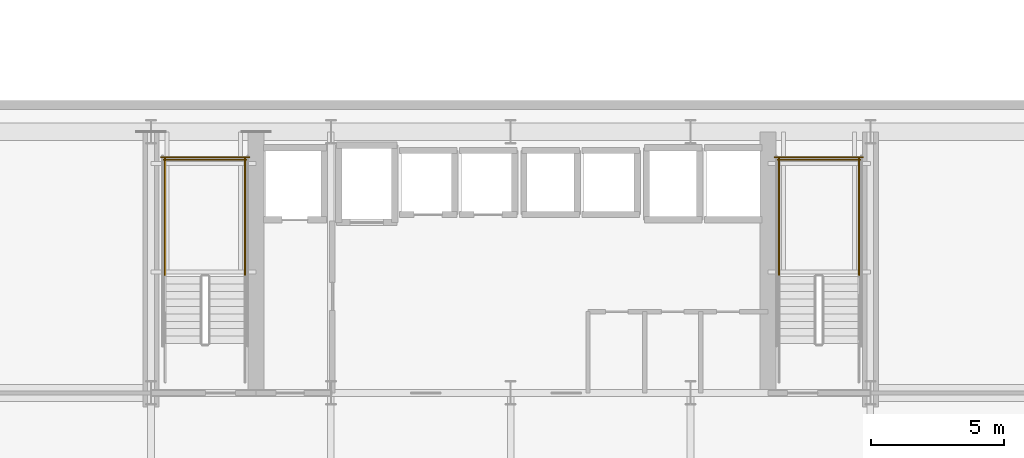
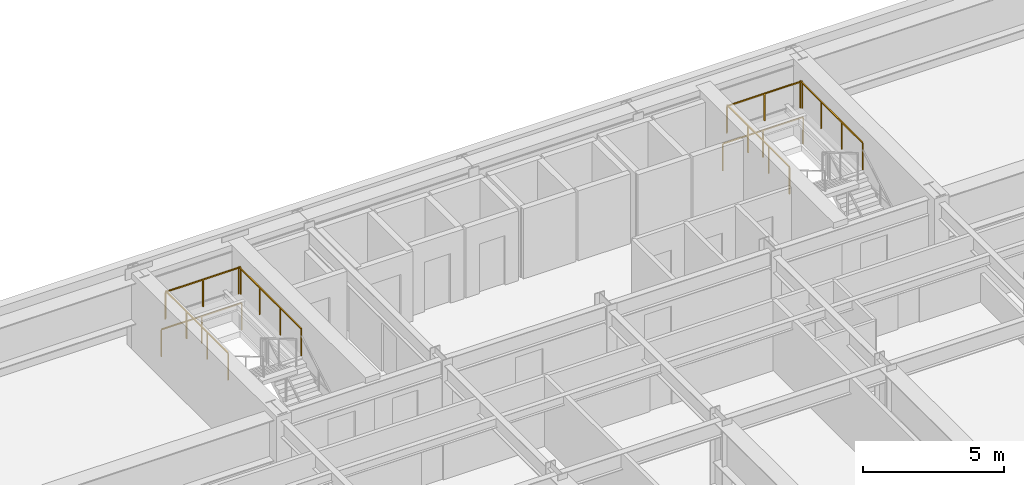
# One storey, part 15 of 18: 8 railings.
"""IFC4 building model written with IfcOpenShell, lengths in metres."""

from ifc_helpers import new_model, si_unit, direction, frame, origin, origin_2d, place, context, subcontext, project, spatial, rectangle, extrude, material, type_object, element, save


model = new_model("IFC4")

# Units and contexts
model_context = context("Model", 3, precision=1e-05, world=origin(), true_north=direction((0.0, 1.0)))
body_context = subcontext(model_context, "Body", "Model", "MODEL_VIEW")
ifc_project = project(units=[si_unit("LENGTHUNIT", "METRE"), si_unit("AREAUNIT", "SQUARE_METRE"), si_unit("VOLUMEUNIT", "CUBIC_METRE"), si_unit("PLANEANGLEUNIT", "RADIAN"), si_unit("MASSUNIT", "GRAM", prefix="KILO")], contexts=[model_context])

# Site, building, storey
site_placement = place(None, origin())
site = spatial("IfcSite", under=ifc_project, at=site_placement, CompositionType="ELEMENT")
building_placement = place(site_placement, origin())
building = spatial("IfcBuilding", under=site, at=building_placement, Name="Haevon Station Towers", CompositionType="ELEMENT")
storey_placement = place(building_placement, frame((0.0, 0.0, 47.10009765625)))
storey = spatial("IfcBuildingStorey", under=building, at=storey_placement, Name="L11", CompositionType="ELEMENT", Elevation=47.10009765625)

# Railings
ifc_material = material(Name="Steel S355", Category="steel")
railing_type = type_object("IfcRailingType", Name="GRD-STR1200", PredefinedType="GUARDRAIL", material=ifc_material)
for number, where, name in (
    (1, (27.530029296875, 42.570068359375, 1.64990234375), "L11 ST1 Stair Guard 3"),
    (2, (24.530029296875, 42.570068359375, 1.64990234375), "L11 ST1 Stair Guard 4"),
):
    element("IfcRailing", number, at=place(storey_placement, frame(where)), inside=storey, type_object=railing_type, Name=name, PredefinedType="GUARDRAIL", context=body_context, shape_type="SweptSolid", body=[
        extrude(rectangle(XDim=0.048095703125, YDim=0.048095703125, at=origin_2d()), frame((0.0, 0.0, 1.17578125), z_axis=(0.0, 1.0, 0.0), x_axis=(-1.0, 0.0, 0.0)), (0.0, 0.0, 1.0), 4.429931640625),
        extrude(rectangle(XDim=0.0419921875, YDim=0.0419921875, at=origin_2d()), origin(), (0.0, 0.0, 1.0), 1.15185546875),
        extrude(rectangle(XDim=0.0419921875, YDim=0.0419921875, at=origin_2d()), frame((0.0, 1.4765625, 0.0)), (0.0, 0.0, 1.0), 1.15185546875),
        extrude(rectangle(XDim=0.0419921875, YDim=0.0419921875, at=origin_2d()), frame((0.0, 2.953369140625, 0.0)), (0.0, 0.0, 1.0), 1.15185546875),
        extrude(rectangle(XDim=0.0419921875, YDim=0.0419921875, at=origin_2d()), frame((0.0, 4.429931640625, 0.0)), (0.0, 0.0, 1.0), 1.15185546875),
    ])
railing_1_placement = place(storey_placement, frame((27.580078125, 46.949951171875, 1.64990234375)))
element("IfcRailing", 3, at=railing_1_placement, inside=storey, type_object=railing_type, Name="L11 ST1 Stair Guard 5", PredefinedType="GUARDRAIL", context=body_context, shape_type="SweptSolid", body=[
    extrude(rectangle(XDim=0.048095703125, YDim=0.048095703125, at=origin_2d()), frame((0.0, 0.0, 1.17578125), z_axis=(-1.0, 0.0, 0.0), x_axis=(0.0, -1.0, 0.0)), (0.0, 0.0, 1.0), 3.10009765625),
    extrude(rectangle(XDim=0.0419921875, YDim=0.0419921875, at=origin_2d()), origin(), (0.0, 0.0, 1.0), 1.15185546875),
    extrude(rectangle(XDim=0.0419921875, YDim=0.0419921875, at=origin_2d()), frame((-1.550048828125, 0.0, 0.0)), (0.0, 0.0, 1.0), 1.15185546875),
    extrude(rectangle(XDim=0.0419921875, YDim=0.0419921875, at=origin_2d()), frame((-3.10009765625, 0.0, 0.0)), (0.0, 0.0, 1.0), 1.15185546875),
])
railing_2_placement = place(storey_placement, frame((27.679931640625, 47.050048828125, 0.0)))
element("IfcRailing", 4, at=railing_2_placement, inside=storey, type_object=railing_type, Name="L11 ST1 Stair Guard 12", PredefinedType="GUARDRAIL", context=body_context, shape_type="SweptSolid", body=[
    extrude(rectangle(XDim=0.048095703125, YDim=0.048095703125, at=origin_2d()), frame((0.0, 0.0, 1.17578125), z_axis=(-1.0, 0.0, 0.0), x_axis=(0.0, -1.0, 0.0)), (0.0, 0.0, 1.0), 3.300048828125),
    extrude(rectangle(XDim=0.0419921875, YDim=0.0419921875, at=origin_2d()), origin(), (0.0, 0.0, 1.0), 1.15185546875),
    extrude(rectangle(XDim=0.0419921875, YDim=0.0419921875, at=origin_2d()), frame((-1.64990234375, 0.0, 0.0)), (0.0, 0.0, 1.0), 1.15185546875),
    extrude(rectangle(XDim=0.0419921875, YDim=0.0419921875, at=origin_2d()), frame((-3.300048828125, 0.0, 0.0)), (0.0, 0.0, 1.0), 1.15185546875),
])
for number, where, name in (
    (5, (50.570068359375, 42.570068359375, 1.64990234375), "L11 ST2 Stair Guard 3"),
    (6, (47.570068359375, 42.570068359375, 1.64990234375), "L11 ST2 Stair Guard 4"),
):
    element("IfcRailing", number, at=place(storey_placement, frame(where)), inside=storey, type_object=railing_type, Name=name, PredefinedType="GUARDRAIL", context=body_context, shape_type="SweptSolid", body=[
        extrude(rectangle(XDim=0.048095703125, YDim=0.048095703125, at=origin_2d()), frame((0.0, 0.0, 1.17578125), z_axis=(0.0, 1.0, 0.0), x_axis=(-1.0, 0.0, 0.0)), (0.0, 0.0, 1.0), 4.429931640625),
        extrude(rectangle(XDim=0.0419921875, YDim=0.0419921875, at=origin_2d()), origin(), (0.0, 0.0, 1.0), 1.15185546875),
        extrude(rectangle(XDim=0.0419921875, YDim=0.0419921875, at=origin_2d()), frame((0.0, 1.4765625, 0.0)), (0.0, 0.0, 1.0), 1.15185546875),
        extrude(rectangle(XDim=0.0419921875, YDim=0.0419921875, at=origin_2d()), frame((0.0, 2.953369140625, 0.0)), (0.0, 0.0, 1.0), 1.15185546875),
        extrude(rectangle(XDim=0.0419921875, YDim=0.0419921875, at=origin_2d()), frame((0.0, 4.429931640625, 0.0)), (0.0, 0.0, 1.0), 1.15185546875),
    ])
railing_3_placement = place(storey_placement, frame((50.6201171875, 46.949951171875, 1.64990234375)))
element("IfcRailing", 7, at=railing_3_placement, inside=storey, type_object=railing_type, Name="L11 ST2 Stair Guard 5", PredefinedType="GUARDRAIL", context=body_context, shape_type="SweptSolid", body=[
    extrude(rectangle(XDim=0.048095703125, YDim=0.048095703125, at=origin_2d()), frame((0.0, 0.0, 1.17578125), z_axis=(-1.0, 0.0, 0.0), x_axis=(0.0, -1.0, 0.0)), (0.0, 0.0, 1.0), 3.10009765625),
    extrude(rectangle(XDim=0.0419921875, YDim=0.0419921875, at=origin_2d()), origin(), (0.0, 0.0, 1.0), 1.15185546875),
    extrude(rectangle(XDim=0.0419921875, YDim=0.0419921875, at=origin_2d()), frame((-1.550048828125, 0.0, 0.0)), (0.0, 0.0, 1.0), 1.15185546875),
    extrude(rectangle(XDim=0.0419921875, YDim=0.0419921875, at=origin_2d()), frame((-3.10009765625, 0.0, 0.0)), (0.0, 0.0, 1.0), 1.15185546875),
])
railing_4_placement = place(storey_placement, frame((50.719970703125, 47.050048828125, 0.0)))
element("IfcRailing", 8, at=railing_4_placement, inside=storey, type_object=railing_type, Name="L11 ST2 Stair Guard 12", PredefinedType="GUARDRAIL", context=body_context, shape_type="SweptSolid", body=[
    extrude(rectangle(XDim=0.048095703125, YDim=0.048095703125, at=origin_2d()), frame((0.0, 0.0, 1.17578125), z_axis=(-1.0, 0.0, 0.0), x_axis=(0.0, -1.0, 0.0)), (0.0, 0.0, 1.0), 3.300048828125),
    extrude(rectangle(XDim=0.0419921875, YDim=0.0419921875, at=origin_2d()), origin(), (0.0, 0.0, 1.0), 1.15185546875),
    extrude(rectangle(XDim=0.0419921875, YDim=0.0419921875, at=origin_2d()), frame((-1.64990234375, 0.0, 0.0)), (0.0, 0.0, 1.0), 1.15185546875),
    extrude(rectangle(XDim=0.0419921875, YDim=0.0419921875, at=origin_2d()), frame((-3.300048828125, 0.0, 0.0)), (0.0, 0.0, 1.0), 1.15185546875),
])

save(model, "model.ifc")
